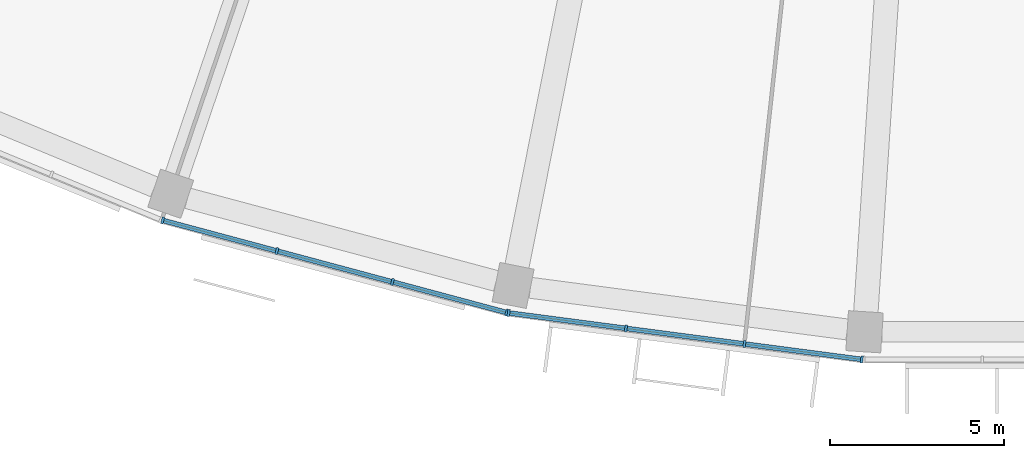
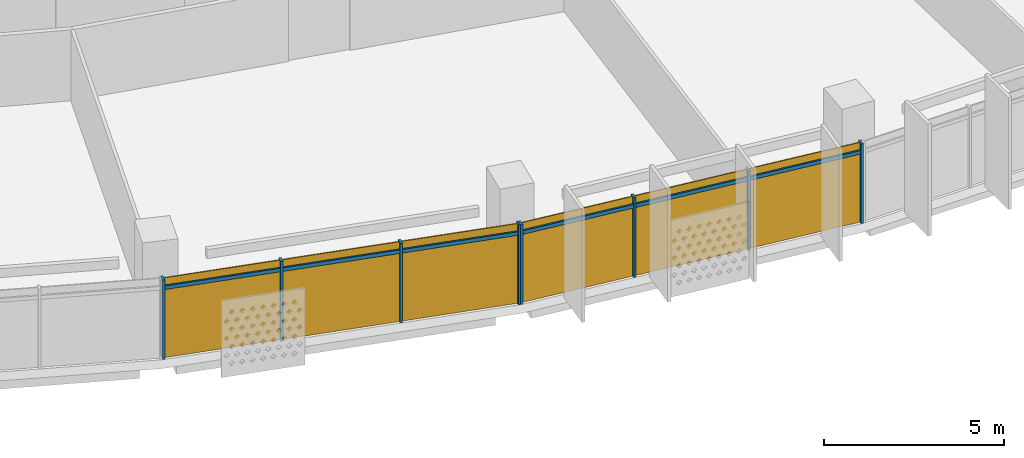
# One storey, part 18 of 27: 14 members, 2 curtain walls.
"""IFC4 building model written with IfcOpenShell, lengths in metres."""

from ifc_helpers import new_model, si_unit, direction, frame, origin, origin_2d, place, context, subcontext, project, spatial, rectangle, extrude, material, material_profile, profile_set, type_object, element, aggregate, save


model = new_model("IFC4")

# Units and contexts
model_context = context("Model", 3, precision=1e-05, world=origin(), true_north=direction((0.0, 1.0)))
body_context = subcontext(model_context, "Body", "Model", "MODEL_VIEW")
ifc_project = project(units=[si_unit("LENGTHUNIT", "METRE"), si_unit("AREAUNIT", "SQUARE_METRE"), si_unit("VOLUMEUNIT", "CUBIC_METRE"), si_unit("PLANEANGLEUNIT", "RADIAN"), si_unit("MASSUNIT", "GRAM", prefix="KILO")], contexts=[model_context])

# Member
ifc_material = material(Name="Aluminium 6063-T6 anodised", Category="aluminium")
ifc_material_profile_1 = material_profile(ifc_material, rectangle(XDim=0.199951171875, YDim=0.070068359375, at=origin_2d()))
ifc_profile_set_1 = profile_set([ifc_material_profile_1], Name="Aluminium 6063-T6 anodised")
member_type_1 = type_object("IfcMemberType", Name="Mullion 70 x 200 aluminium", PredefinedType="MULLION", material=ifc_profile_set_1)
site_placement = place(None, origin())
building_placement = place(site_placement, origin())
storey_placement = place(building_placement, frame((0.0, 0.0, 222.699951171875)))
member_1_placement = place(storey_placement, frame((-25.221435546875, -74.388427734375, 0.0), z_axis=(0.0, 0.0, 1.0), x_axis=(0.258819045103, 0.965925826289, 0.0)))
member_1 = element("IfcMember", 1, at=member_1_placement, type_object=member_type_1, Name="e-cw1-L53-out06/M00", PredefinedType="MULLION", context=body_context, shape_type="SweptSolid", body=[
    extrude(rectangle(XDim=0.199951171875, YDim=0.070068359375, at=origin_2d()), origin(), (0.0, 0.0, 1.0), 2.699951171875),
])

member_2_placement = place(storey_placement, frame((-21.94287109375, -75.26708984375, 0.0), z_axis=(0.0, 0.0, 1.0), x_axis=(0.258819045103, 0.965925826289, 0.0)))
member_2 = element("IfcMember", 2, at=member_2_placement, type_object=member_type_1, Name="e-cw1-L53-out06/M01", PredefinedType="MULLION", context=body_context, shape_type="SweptSolid", body=[
    extrude(rectangle(XDim=0.199951171875, YDim=0.070068359375, at=origin_2d()), origin(), (0.0, 0.0, 1.0), 2.699951171875),
])

member_3_placement = place(storey_placement, frame((-18.63037109375, -76.154541015625, 0.0), z_axis=(0.0, 0.0, 1.0), x_axis=(0.258819045103, 0.965925826289, 0.0)))
member_3 = element("IfcMember", 3, at=member_3_placement, type_object=member_type_1, Name="e-cw1-L53-out06/M02", PredefinedType="MULLION", context=body_context, shape_type="SweptSolid", body=[
    extrude(rectangle(XDim=0.199951171875, YDim=0.070068359375, at=origin_2d()), origin(), (0.0, 0.0, 1.0), 2.699951171875),
])

member_4_placement = place(storey_placement, frame((-15.351806640625, -77.033203125, 0.0), z_axis=(0.0, 0.0, 1.0), x_axis=(0.258819045103, 0.965925826289, 0.0)))
member_4 = element("IfcMember", 4, at=member_4_placement, type_object=member_type_1, Name="e-cw1-L53-out06/M03", PredefinedType="MULLION", context=body_context, shape_type="SweptSolid", body=[
    extrude(rectangle(XDim=0.199951171875, YDim=0.070068359375, at=origin_2d()), origin(), (0.0, 0.0, 1.0), 2.699951171875),
])

member_5_placement = place(storey_placement, frame((-15.296142578125, -77.044189453125, 0.0), z_axis=(0.0, 0.0, 1.0), x_axis=(0.13052619222, 0.991444861374, 0.0)))
member_5 = element("IfcMember", 5, at=member_5_placement, type_object=member_type_1, Name="e-cw1-L53-out07/M00", PredefinedType="MULLION", context=body_context, shape_type="SweptSolid", body=[
    extrude(rectangle(XDim=0.199951171875, YDim=0.070068359375, at=origin_2d()), origin(), (0.0, 0.0, 1.0), 2.699951171875),
])

member_6_placement = place(storey_placement, frame((-11.930908203125, -77.4873046875, 0.0), z_axis=(0.0, 0.0, 1.0), x_axis=(0.13052619222, 0.991444861374, 0.0)))
member_6 = element("IfcMember", 6, at=member_6_placement, type_object=member_type_1, Name="e-cw1-L53-out07/M01", PredefinedType="MULLION", context=body_context, shape_type="SweptSolid", body=[
    extrude(rectangle(XDim=0.199951171875, YDim=0.070068359375, at=origin_2d()), origin(), (0.0, 0.0, 1.0), 2.699951171875),
])

member_7_placement = place(storey_placement, frame((-8.53076171875, -77.934814453125, 0.0), z_axis=(0.0, 0.0, 1.0), x_axis=(0.13052619222, 0.991444861374, 0.0)))
member_7 = element("IfcMember", 7, at=member_7_placement, type_object=member_type_1, Name="e-cw1-L53-out07/M02", PredefinedType="MULLION", context=body_context, shape_type="SweptSolid", body=[
    extrude(rectangle(XDim=0.199951171875, YDim=0.070068359375, at=origin_2d()), origin(), (0.0, 0.0, 1.0), 2.699951171875),
])

member_8_placement = place(storey_placement, frame((-5.16552734375, -78.3779296875, 0.0), z_axis=(0.0, 0.0, 1.0), x_axis=(0.13052619222, 0.991444861374, 0.0)))
member_8 = element("IfcMember", 8, at=member_8_placement, type_object=member_type_1, Name="e-cw1-L53-out07/M03", PredefinedType="MULLION", context=body_context, shape_type="SweptSolid", body=[
    extrude(rectangle(XDim=0.199951171875, YDim=0.070068359375, at=origin_2d()), origin(), (0.0, 0.0, 1.0), 2.699951171875),
])

ifc_material_profile_2 = material_profile(ifc_material, rectangle(XDim=0.139892578125, YDim=0.1201171875, at=origin_2d()))
ifc_profile_set_2 = profile_set([ifc_material_profile_2], Name="Aluminium 6063-T6 anodised")
member_type_2 = type_object("IfcMemberType", Name="Transom 120 x 140 aluminium", PredefinedType="USERDEFINED", material=ifc_profile_set_2)
member_9_placement = place(storey_placement, frame((-25.187744140625, -74.3974609375, 2.400146484375), z_axis=(0.965908708139, -0.25888292246, 0.0), x_axis=(0.25888292246, 0.965908708139, 0.0)))
member_9 = element("IfcMember", 9, at=member_9_placement, type_object=member_type_2, Name="e-cw1-L53-out06/T00", ObjectType="TRANSOM", PredefinedType="USERDEFINED", context=body_context, shape_type="SweptSolid", body=[
    extrude(rectangle(XDim=0.139892578125, YDim=0.1201171875, at=origin_2d()), origin(), (0.0, 0.0, 1.0), 3.32421875),
])

member_10_placement = place(storey_placement, frame((-21.9091796875, -75.276123046875, 2.400146484375), z_axis=(0.965931507774, -0.258797840582, 0.0), x_axis=(0.258797840582, 0.965931507774, 0.0)))
member_10 = element("IfcMember", 10, at=member_10_placement, type_object=member_type_2, Name="e-cw1-L53-out06/T01", ObjectType="TRANSOM", PredefinedType="USERDEFINED", context=body_context, shape_type="SweptSolid", body=[
    extrude(rectangle(XDim=0.139892578125, YDim=0.1201171875, at=origin_2d()), origin(), (0.0, 0.0, 1.0), 3.359375),
])

member_11_placement = place(storey_placement, frame((-18.5966796875, -76.16357421875, 2.400146484375), z_axis=(0.965913629723, -0.258864559019, 0.0), x_axis=(0.258864559019, 0.965913629723, 0.0)))
member_11 = element("IfcMember", 11, at=member_11_placement, type_object=member_type_2, Name="e-cw1-L53-out06/T02", ObjectType="TRANSOM", PredefinedType="USERDEFINED", context=body_context, shape_type="SweptSolid", body=[
    extrude(rectangle(XDim=0.139892578125, YDim=0.1201171875, at=origin_2d()), origin(), (0.0, 0.0, 1.0), 3.324462890625),
])

member_12_placement = place(storey_placement, frame((-15.261474609375, -77.048828125, 2.400146484375), z_axis=(0.991447795146, -0.130503906072, 0.0), x_axis=(0.130503906072, 0.991447795146, 0.0)))
member_12 = element("IfcMember", 12, at=member_12_placement, type_object=member_type_2, Name="e-cw1-L53-out07/T00", ObjectType="TRANSOM", PredefinedType="USERDEFINED", context=body_context, shape_type="SweptSolid", body=[
    extrude(rectangle(XDim=0.139892578125, YDim=0.1201171875, at=origin_2d()), origin(), (0.0, 0.0, 1.0), 3.32421875),
])

member_13_placement = place(storey_placement, frame((-11.896240234375, -77.49169921875, 2.400146484375), z_axis=(0.991444893088, -0.130525951326, 0.0), x_axis=(0.130525951326, 0.991444893088, 0.0)))
member_13 = element("IfcMember", 13, at=member_13_placement, type_object=member_type_2, Name="e-cw1-L53-out07/T01", ObjectType="TRANSOM", PredefinedType="USERDEFINED", context=body_context, shape_type="SweptSolid", body=[
    extrude(rectangle(XDim=0.139892578125, YDim=0.1201171875, at=origin_2d()), origin(), (0.0, 0.0, 1.0), 3.359375),
])

member_14_placement = place(storey_placement, frame((-8.49609375, -77.939453125, 2.400146484375), z_axis=(0.991447795146, -0.130503906072, 0.0), x_axis=(0.130503906072, 0.991447795146, 0.0)))
member_14 = element("IfcMember", 14, at=member_14_placement, type_object=member_type_2, Name="e-cw1-L53-out07/T02", ObjectType="TRANSOM", PredefinedType="USERDEFINED", context=body_context, shape_type="SweptSolid", body=[
    extrude(rectangle(XDim=0.139892578125, YDim=0.1201171875, at=origin_2d()), origin(), (0.0, 0.0, 1.0), 3.32421875),
])

# Site, building, storey
site = spatial("IfcSite", under=ifc_project, at=site_placement, CompositionType="ELEMENT")
building = spatial("IfcBuilding", under=site, at=building_placement, Name="Qamariyya Broadcast Tower", CompositionType="ELEMENT")
storey = spatial("IfcBuildingStorey", under=building, at=storey_placement, Name="L53", CompositionType="ELEMENT", Elevation=222.699951171875)

# Curtain wall
curtain_wall_type = type_object("IfcCurtainWallType", Name="Unitised curtain wall, anodised aluminium", PredefinedType="NOTDEFINED", material=ifc_material)
curtain_wall_1_placement = place(storey_placement, origin())
curtain_wall_1 = element("IfcCurtainWall", 15, at=curtain_wall_1_placement, inside=storey, type_object=curtain_wall_type, Name="e-cw1-L53-out06", PredefinedType="NOTDEFINED", context=body_context, shape_type="SweptSolid", body=[
    extrude(rectangle(XDim=3.324462890625, YDim=0.031982421875, at=origin_2d()), frame((-23.582275390625, -74.82763671875, 0.0), x_axis=(0.965923476514, -0.258827814424, 0.0)), (0.0, 0.0, 1.0), 2.340087890625),
    extrude(rectangle(XDim=3.324462890625, YDim=0.031982421875, at=origin_2d()), frame((-23.582275390625, -74.82763671875, 2.4599609375), x_axis=(0.965923476514, -0.258827814424, 0.0)), (0.0, 0.0, 1.0), 0.239990234375),
    extrude(rectangle(XDim=3.359375, YDim=0.031982421875, at=origin_2d()), frame((-20.28662109375, -75.7109375, 0.0), x_axis=(0.965923476514, -0.258827814424, 0.0)), (0.0, 0.0, 1.0), 2.340087890625),
    extrude(rectangle(XDim=3.359375, YDim=0.031982421875, at=origin_2d()), frame((-20.28662109375, -75.7109375, 2.4599609375), x_axis=(0.965923476514, -0.258827814424, 0.0)), (0.0, 0.0, 1.0), 0.239990234375),
    extrude(rectangle(XDim=3.324462890625, YDim=0.031982421875, at=origin_2d()), frame((-16.990966796875, -76.593994140625, 0.0), x_axis=(0.965923476514, -0.258827814424, 0.0)), (0.0, 0.0, 1.0), 2.340087890625),
    extrude(rectangle(XDim=3.324462890625, YDim=0.031982421875, at=origin_2d()), frame((-16.990966796875, -76.593994140625, 2.4599609375), x_axis=(0.965923476514, -0.258827814424, 0.0)), (0.0, 0.0, 1.0), 0.239990234375),
])

aggregate(curtain_wall_1, [member_1, member_2, member_3, member_4, member_9, member_10, member_11])

curtain_wall_2_placement = place(storey_placement, origin())
curtain_wall_2 = element("IfcCurtainWall", 16, at=curtain_wall_2_placement, inside=storey, type_object=curtain_wall_type, Name="e-cw1-L53-out07", PredefinedType="NOTDEFINED", context=body_context, shape_type="SweptSolid", body=[
    extrude(rectangle(XDim=3.32421875, YDim=0.031982421875, at=origin_2d()), frame((-13.613525390625, -77.265625, 0.0), x_axis=(0.991442741341, -0.130542294457, 0.0)), (0.0, 0.0, 1.0), 2.340087890625),
    extrude(rectangle(XDim=3.32421875, YDim=0.031982421875, at=origin_2d()), frame((-13.613525390625, -77.265625, 2.4599609375), x_axis=(0.991442741341, -0.130542294457, 0.0)), (0.0, 0.0, 1.0), 0.239990234375),
    extrude(rectangle(XDim=3.359375, YDim=0.031982421875, at=origin_2d()), frame((-10.23095703125, -77.7109375, 0.0), x_axis=(0.991442741341, -0.130542294457, 0.0)), (0.0, 0.0, 1.0), 2.340087890625),
    extrude(rectangle(XDim=3.359375, YDim=0.031982421875, at=origin_2d()), frame((-10.23095703125, -77.7109375, 2.4599609375), x_axis=(0.991442741341, -0.130542294457, 0.0)), (0.0, 0.0, 1.0), 0.239990234375),
    extrude(rectangle(XDim=3.32421875, YDim=0.031982421875, at=origin_2d()), frame((-6.84814453125, -78.156494140625, 0.0), x_axis=(0.991442741341, -0.130542294457, 0.0)), (0.0, 0.0, 1.0), 2.340087890625),
    extrude(rectangle(XDim=3.32421875, YDim=0.031982421875, at=origin_2d()), frame((-6.84814453125, -78.156494140625, 2.4599609375), x_axis=(0.991442741341, -0.130542294457, 0.0)), (0.0, 0.0, 1.0), 0.239990234375),
])

aggregate(curtain_wall_2, [member_5, member_6, member_7, member_8, member_12, member_13, member_14])

save(model, "model.ifc")
